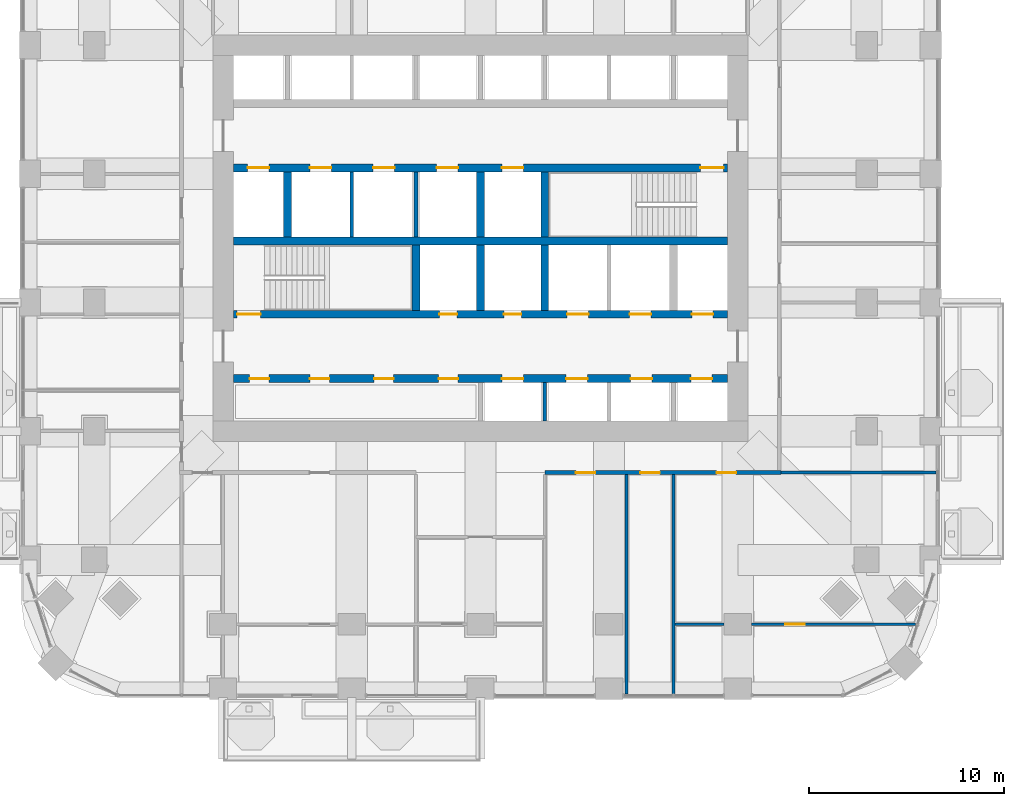
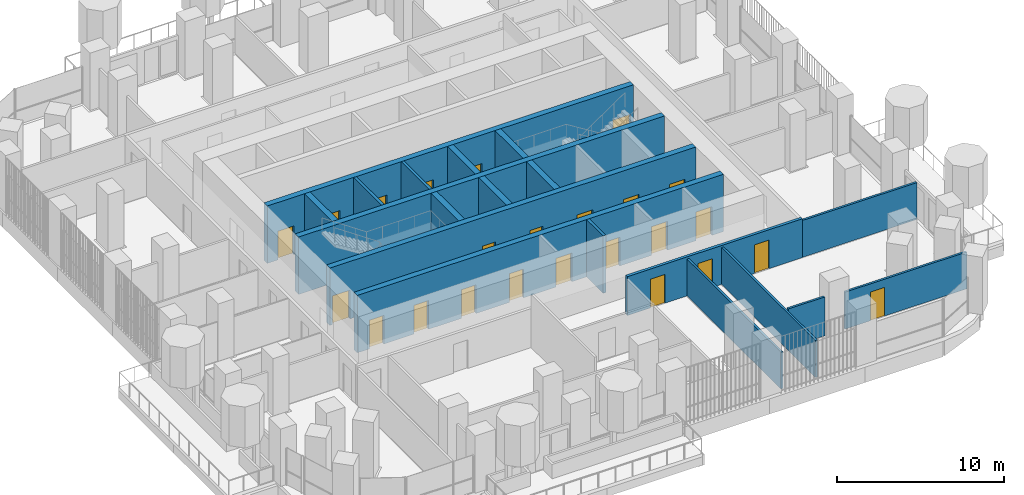
# One storey, part 14 of 21: 24 doors, 19 walls, 24 openings.
"""IFC4 building model written with IfcOpenShell, lengths in metres."""

import ifcopenshell
import ifcopenshell.guid

model = None  # the IFC model being written
_history = None  # IfcOwnerHistory: only IFC2X3 demands one
_inside = {}  # id of a spatial element -> (the spatial element, [elements in it])
_under = {}  # id of a project, library or spatial element -> (it, [spatial elements below it])
_declared = {}  # id of a project -> (the project, [libraries it declares])
_typed = {}  # id of a type object -> (the type object, [elements of that type])
_made_of = {}  # id of a material, layer set ... -> (it, [elements and type objects made of it])


def new_model(schema):
    """Start an empty IFC model of exactly this schema.

    Asked for "IFC4X3", IfcOpenShell would pick the latest addendum, in which some entities
    have other attributes; the version numbers below select the first issue.
    IFC2X3 requires an IfcOwnerHistory on every rooted entity: one is made here for all.
    """
    global model, _history
    if schema == "IFC4X3":
        model = ifcopenshell.file(schema_version=(4, 3, 0, 0))
    else:
        model = ifcopenshell.file(schema=schema)
    _inside.clear()
    _under.clear()
    _declared.clear()
    _typed.clear()
    _made_of.clear()
    _history = None
    if model.schema == "IFC2X3":
        org = make("IfcOrganization", Name="unknown")
        user = make(
            "IfcPersonAndOrganization",
            ThePerson=make("IfcPerson", FamilyName="unknown"),
            TheOrganization=org,
        )
        app = make(
            "IfcApplication",
            ApplicationDeveloper=org,
            Version="unknown",
            ApplicationFullName="unknown",
            ApplicationIdentifier="unknown",
        )
        _history = make(
            "IfcOwnerHistory",
            OwningUser=user,
            OwningApplication=app,
            ChangeAction="ADDED",
            CreationDate=0,
        )
    return model


def make(cls, **values):
    """One entity of the class cls with the attributes given. An attribute that is None is left unset."""
    return model.create_entity(
        cls, **{name: value for name, value in values.items() if value is not None}
    )


def rooted(cls, **values):
    """An entity with a GlobalId (a new one), such as an element, a storey or a relation."""
    return make(cls, GlobalId=ifcopenshell.guid.new(), OwnerHistory=_history, **values)


def si_unit(unit_type, name, prefix=None):
    """IfcSIUnit, for example si_unit("LENGTHUNIT", "METRE", prefix="MILLI")."""
    return make("IfcSIUnit", UnitType=unit_type, Prefix=prefix, Name=name)


def assignment(units):
    """IfcUnitAssignment: the units of a project."""
    return None if units is None else make("IfcUnitAssignment", Units=units)


def point(xyz):
    """IfcCartesianPoint."""
    return None if xyz is None else make("IfcCartesianPoint", Coordinates=xyz)


def direction(xyz):
    """IfcDirection."""
    return None if xyz is None else make("IfcDirection", DirectionRatios=xyz)


def frame(location, z_axis=None, x_axis=None):
    """IfcAxis2Placement3D, a coordinate frame: its origin and axes. An axis left out is left unset."""
    return make(
        "IfcAxis2Placement3D",
        Location=point(location),
        Axis=direction(z_axis),
        RefDirection=direction(x_axis),
    )


def frame_2d(location, x_axis=None):
    """IfcAxis2Placement2D, a coordinate frame in the plane: its origin and x axis."""
    return make(
        "IfcAxis2Placement2D", Location=point(location), RefDirection=direction(x_axis)
    )


def origin():
    """The frame at (0, 0, 0) with its axes left unset."""
    return frame((0.0, 0.0, 0.0))


def place(relative_to, where):
    """IfcLocalPlacement: puts the frame where relative to a parent placement (None: the world)."""
    return make(
        "IfcLocalPlacement", PlacementRelTo=relative_to, RelativePlacement=where
    )


def context(
    kind, dimensions, precision=None, world=None, true_north=None, identifier=None
):
    """IfcGeometricRepresentationContext, for example the 3D "Model" context."""
    return make(
        "IfcGeometricRepresentationContext",
        ContextIdentifier=identifier,
        ContextType=kind,
        CoordinateSpaceDimension=dimensions,
        Precision=precision,
        WorldCoordinateSystem=world,
        TrueNorth=true_north,
    )


def subcontext(parent, identifier, kind, view, scale=None):
    """IfcGeometricRepresentationSubContext, for example "Body" below "Model"."""
    return make(
        "IfcGeometricRepresentationSubContext",
        ContextIdentifier=identifier,
        ContextType=kind,
        ParentContext=parent,
        TargetScale=scale,
        TargetView=view,
    )


def project(units=None, contexts=None):
    """IfcProject with its units and contexts."""
    return rooted(
        "IfcProject",
        Name="project",
        RepresentationContexts=contexts,
        UnitsInContext=assignment(units),
    )


def spatial(cls, under=None, at=None, **own):
    """A site, building, storey or space (cls), placed at a placement, below another one or the project."""
    s = rooted(cls, ObjectPlacement=at, **own)
    if under is not None:
        _under.setdefault(under.id(), (under, []))[1].append(s)
    return s


def profile(cls, at=None, kind="AREA", **sizes):
    """A parametric profile (cls). Its sizes go by their IFC names, for example OverallWidth=200.0."""
    return make(cls, ProfileType=kind, Position=at, **sizes)


def rectangle(**sizes):
    """IfcRectangleProfileDef."""
    return profile("IfcRectangleProfileDef", **sizes)


def extrude(swept, where, along, depth):
    """IfcExtrudedAreaSolid: the profile swept, set in the frame where, extruded along a direction by depth."""
    return make(
        "IfcExtrudedAreaSolid",
        SweptArea=swept,
        Position=where,
        ExtrudedDirection=direction(along),
        Depth=depth,
    )


def shape(context_of_items, identifier, shape_type, items):
    """IfcShapeRepresentation: the items that make up one representation, for example the "Body"."""
    return make(
        "IfcShapeRepresentation",
        ContextOfItems=context_of_items,
        RepresentationIdentifier=identifier,
        RepresentationType=shape_type,
        Items=items,
    )


def material(Name=None, Category=None):
    """IfcMaterial."""
    return make("IfcMaterial", Name=Name, Category=Category)


def layer(
    of_material, thickness, ventilated=None, Name=None, Category=None, Priority=None
):
    """IfcMaterialLayer: one layer of a wall or slab, of a material (None: an air gap)."""
    return make(
        "IfcMaterialLayer",
        Material=of_material,
        LayerThickness=thickness,
        IsVentilated=ventilated,
        Name=Name,
        Category=Category,
        Priority=Priority,
    )


def layer_set(layers, Name=None):
    """IfcMaterialLayerSet."""
    return make("IfcMaterialLayerSet", MaterialLayers=layers, LayerSetName=Name)


def made_of(thing, what):
    """Note that an element or type object is made of a material, layer set ...; save() writes the relation."""
    if what is not None:
        _made_of.setdefault(what.id(), (what, []))[1].append(thing)
    return thing


def type_object(cls, material=None, **own):
    """A type object (cls), such as IfcWallType, which elements share."""
    return made_of(rooted(cls, **own), material)


def element(
    cls,
    number,
    at=None,
    inside=None,
    cuts=None,
    type_object=None,
    material=None,
    context=None,
    identifier="Body",
    shape_type=None,
    held_by="IfcProductDefinitionShape",
    body=None,
    shapes=None,
    **own,
):
    """One element of the class cls, such as IfcWall. Its Tag is "e" and its number.

    at: its placement. inside: the storey or other place that contains it. cuts: it is an
    opening in that element (IfcRelVoidsElement). A single representation is given by context,
    identifier, shape_type and body (its items); several are given by shapes. held_by: the class
    of the entity that holds the representations. save() writes the other relations.
    """
    e = rooted(cls, Tag="e%d" % number, ObjectPlacement=at, **own)
    if body is not None:
        shapes = [shape(context, identifier, shape_type, body)]
    if shapes is not None:
        e.Representation = make(held_by, Representations=shapes)
    if inside is not None:
        _inside.setdefault(inside.id(), (inside, []))[1].append(e)
    if cuts is not None:
        rooted(
            "IfcRelVoidsElement", RelatingBuildingElement=cuts, RelatedOpeningElement=e
        )
    if type_object is not None:
        _typed.setdefault(type_object.id(), (type_object, []))[1].append(e)
    return made_of(e, material)


def fill(opening, filler):
    """IfcRelFillsElement: the door or window that sits in an opening."""
    return rooted(
        "IfcRelFillsElement",
        RelatingOpeningElement=opening,
        RelatedBuildingElement=filler,
    )


def aggregate(whole, parts):
    """IfcRelAggregates: a whole, such as a stair, and the parts it consists of."""
    return rooted("IfcRelAggregates", RelatingObject=whole, RelatedObjects=parts)


def save(model, path):
    """Write the relations noted so far, then the file.

    IfcRelAggregates (storeys below a building ...), IfcRelContainedInSpatialStructure (elements
    in a storey), IfcRelDefinesByType, IfcRelAssociatesMaterial and IfcRelDeclares: one each for
    every whole, place, type object, material and project.
    """
    for whole, parts in _under.values():
        aggregate(whole, parts)
    for where, things in _inside.values():
        rooted(
            "IfcRelContainedInSpatialStructure",
            RelatedElements=things,
            RelatingStructure=where,
        )
    for kind, things in _typed.values():
        rooted("IfcRelDefinesByType", RelatedObjects=things, RelatingType=kind)
    for what, things in _made_of.values():
        rooted("IfcRelAssociatesMaterial", RelatedObjects=things, RelatingMaterial=what)
    for by, libraries in _declared.values():
        rooted("IfcRelDeclares", RelatingContext=by, RelatedDefinitions=libraries)
    model.write(path)


model = new_model("IFC4")

# Units and contexts
model_context = context("Model", 3, precision=1e-05, world=origin(), true_north=direction((0.0, 1.0)))
body_context = subcontext(model_context, "Body", "Model", "MODEL_VIEW")
ifc_project = project(units=[si_unit("LENGTHUNIT", "METRE"), si_unit("AREAUNIT", "SQUARE_METRE"), si_unit("VOLUMEUNIT", "CUBIC_METRE"), si_unit("PLANEANGLEUNIT", "RADIAN"), si_unit("MASSUNIT", "GRAM", prefix="KILO")], contexts=[model_context])

# Site, building, storey
site_placement = place(None, origin())
site = spatial("IfcSite", under=ifc_project, at=site_placement, CompositionType="ELEMENT")
building_placement = place(site_placement, origin())
building = spatial("IfcBuilding", under=site, at=building_placement, Name="Cobogo Forest Laboratory Tower", CompositionType="ELEMENT")
storey_placement = place(building_placement, frame((0.0, 0.0, 132.60009765625)))
storey = spatial("IfcBuildingStorey", under=building, at=storey_placement, Name="L30", CompositionType="ELEMENT", Elevation=132.60009765625)

# Wall, openings, doors
ifc_material_1 = material(Name="Concrete HA-50 (C50/60)", Category="concrete")
ifc_layer_1 = layer(ifc_material_1, 0.39990234375)
ifc_layer_set_1 = layer_set([ifc_layer_1], Name="CI400 core inner wall 400")
wall_type_1 = type_object("IfcWallType", Name="CI400 core inner wall 400", PredefinedType="SHEAR", material=ifc_layer_set_1)
wall_1_placement = place(storey_placement, frame((13.72509765625, 15.89990234375, 0.0), z_axis=(0.0, 0.0, 1.0), x_axis=(1.0, 0.0, 0.0)))
wall_1 = element("IfcWall", 1, at=wall_1_placement, inside=storey, type_object=wall_type_1, Name="Core wall CI-15.9 L30", PredefinedType="SHEAR", context=body_context, shape_type="SweptSolid", body=[
    extrude(rectangle(XDim=25.349853515625, YDim=0.39990234375, at=frame_2d((12.6748046875, 0.0))), origin(), (0.0, 0.0, 1.0), 4.199951171875),
])
opening_1_placement = place(wall_1_placement, frame((0.83740234375, 0.0, 0.0)))
opening_1 = element("IfcOpeningElement", 2, at=opening_1_placement, cuts=wall_1, Name="Opening L30-D16", PredefinedType="OPENING", context=body_context, shape_type="SweptSolid", body=[
    extrude(rectangle(XDim=1.0, YDim=2.10009765625, at=frame_2d((0.5, 1.050048828125))), frame((0.0, 0.2099609375, 0.0), z_axis=(0.0, -1.0, 0.0), x_axis=(1.0, 0.0, 0.0)), (0.0, 0.0, 1.0), 0.419921875),
])
opening_2_placement = place(wall_1_placement, frame((3.925048828125, 0.0, 0.0)))
opening_2 = element("IfcOpeningElement", 3, at=opening_2_placement, cuts=wall_1, Name="Opening L30-D17", PredefinedType="OPENING", context=body_context, shape_type="SweptSolid", body=[
    extrude(rectangle(XDim=1.0, YDim=2.10009765625, at=frame_2d((0.5, 1.050048828125))), frame((0.0, 0.2099609375, 0.0), z_axis=(0.0, -1.0, 0.0), x_axis=(1.0, 0.0, 0.0)), (0.0, 0.0, 1.0), 0.419921875),
])
opening_3_placement = place(wall_1_placement, frame((7.22509765625, 0.0, 0.0)))
opening_3 = element("IfcOpeningElement", 4, at=opening_3_placement, cuts=wall_1, Name="Opening L30-D18", PredefinedType="OPENING", context=body_context, shape_type="SweptSolid", body=[
    extrude(rectangle(XDim=1.0, YDim=2.10009765625, at=frame_2d((0.5, 1.050048828125))), frame((0.0, 0.2099609375, 0.0), z_axis=(0.0, -1.0, 0.0), x_axis=(1.0, 0.0, 0.0)), (0.0, 0.0, 1.0), 0.419921875),
])
opening_4_placement = place(wall_1_placement, frame((10.52490234375, 0.0, 0.0)))
opening_4 = element("IfcOpeningElement", 5, at=opening_4_placement, cuts=wall_1, Name="Opening L30-D19", PredefinedType="OPENING", context=body_context, shape_type="SweptSolid", body=[
    extrude(rectangle(XDim=1.0, YDim=2.10009765625, at=frame_2d((0.5, 1.050048828125))), frame((0.0, 0.2099609375, 0.0), z_axis=(0.0, -1.0, 0.0), x_axis=(1.0, 0.0, 0.0)), (0.0, 0.0, 1.0), 0.419921875),
])
opening_5_placement = place(wall_1_placement, frame((13.77490234375, 0.0, 0.0)))
opening_5 = element("IfcOpeningElement", 6, at=opening_5_placement, cuts=wall_1, Name="Opening L30-LD-LB1", PredefinedType="OPENING", context=body_context, shape_type="SweptSolid", body=[
    extrude(rectangle(XDim=1.10009765625, YDim=2.10009765625, at=frame_2d((0.550048828125, 1.050048828125))), frame((0.0, 0.2099609375, 0.0), z_axis=(0.0, -1.0, 0.0), x_axis=(1.0, 0.0, 0.0)), (0.0, 0.0, 1.0), 0.419921875),
])
opening_6_placement = place(wall_1_placement, frame((17.074951171875, 0.0, 0.0)))
opening_6 = element("IfcOpeningElement", 7, at=opening_6_placement, cuts=wall_1, Name="Opening L30-LD-LB2", PredefinedType="OPENING", context=body_context, shape_type="SweptSolid", body=[
    extrude(rectangle(XDim=1.10009765625, YDim=2.10009765625, at=frame_2d((0.550048828125, 1.050048828125))), frame((0.0, 0.2099609375, 0.0), z_axis=(0.0, -1.0, 0.0), x_axis=(1.0, 0.0, 0.0)), (0.0, 0.0, 1.0), 0.419921875),
])
opening_7_placement = place(wall_1_placement, frame((20.375, 0.0, 0.0)))
opening_7 = element("IfcOpeningElement", 8, at=opening_7_placement, cuts=wall_1, Name="Opening L30-LD-LB3", PredefinedType="OPENING", context=body_context, shape_type="SweptSolid", body=[
    extrude(rectangle(XDim=1.10009765625, YDim=2.10009765625, at=frame_2d((0.550048828125, 1.050048828125))), frame((0.0, 0.2099609375, 0.0), z_axis=(0.0, -1.0, 0.0), x_axis=(1.0, 0.0, 0.0)), (0.0, 0.0, 1.0), 0.419921875),
])
opening_8_placement = place(wall_1_placement, frame((23.46240234375, 0.0, 0.0)))
opening_8 = element("IfcOpeningElement", 9, at=opening_8_placement, cuts=wall_1, Name="Opening L30-LD-LB4", PredefinedType="OPENING", context=body_context, shape_type="SweptSolid", body=[
    extrude(rectangle(XDim=1.10009765625, YDim=2.10009765625, at=frame_2d((0.550048828125, 1.050048828125))), frame((0.0, 0.2099609375, 0.0), z_axis=(0.0, -1.0, 0.0), x_axis=(1.0, 0.0, 0.0)), (0.0, 0.0, 1.0), 0.419921875),
])
ifc_material_2 = material(Name="Steel fire door", Category="steel")
door_type_1 = type_object("IfcDoorType", Name="FD1 fire door 1000 EI2 60", OperationType="SINGLE_SWING_LEFT", PredefinedType="DOOR", material=ifc_material_2)
door_1_placement = place(opening_1_placement, origin())
door_1 = element("IfcDoor", 10, at=door_1_placement, inside=storey, type_object=door_type_1, Name="Door L30-SH-LA1", OperationType="SINGLE_SWING_LEFT", OverallHeight=2.10009765625, OverallWidth=1.0, PredefinedType="DOOR", context=body_context, shape_type="SweptSolid", body=[
    extrude(rectangle(XDim=1.0, YDim=2.10009765625, at=frame_2d((0.5, 1.050048828125))), frame((0.0, 0.02490234375, 0.0), z_axis=(0.0, -1.0, 0.0), x_axis=(1.0, 0.0, 0.0)), (0.0, 0.0, 1.0), 0.050048828125),
])
fill(opening_1, door_1)
door_2_placement = place(opening_2_placement, origin())
door_2 = element("IfcDoor", 11, at=door_2_placement, inside=storey, type_object=door_type_1, Name="Door L30-SH-LA2", OperationType="SINGLE_SWING_LEFT", OverallHeight=2.10009765625, OverallWidth=1.0, PredefinedType="DOOR", context=body_context, shape_type="SweptSolid", body=[
    extrude(rectangle(XDim=1.0, YDim=2.10009765625, at=frame_2d((0.5, 1.050048828125))), frame((0.0, 0.02490234375, 0.0), z_axis=(0.0, -1.0, 0.0), x_axis=(1.0, 0.0, 0.0)), (0.0, 0.0, 1.0), 0.050048828125),
])
fill(opening_2, door_2)
door_3_placement = place(opening_3_placement, origin())
door_3 = element("IfcDoor", 12, at=door_3_placement, inside=storey, type_object=door_type_1, Name="Door L30-SH-LA3", OperationType="SINGLE_SWING_LEFT", OverallHeight=2.10009765625, OverallWidth=1.0, PredefinedType="DOOR", context=body_context, shape_type="SweptSolid", body=[
    extrude(rectangle(XDim=1.0, YDim=2.10009765625, at=frame_2d((0.5, 1.050048828125))), frame((0.0, 0.02490234375, 0.0), z_axis=(0.0, -1.0, 0.0), x_axis=(1.0, 0.0, 0.0)), (0.0, 0.0, 1.0), 0.050048828125),
])
fill(opening_3, door_3)
door_4_placement = place(opening_4_placement, origin())
door_4 = element("IfcDoor", 13, at=door_4_placement, inside=storey, type_object=door_type_1, Name="Door L30-SH-LA4", OperationType="SINGLE_SWING_LEFT", OverallHeight=2.10009765625, OverallWidth=1.0, PredefinedType="DOOR", context=body_context, shape_type="SweptSolid", body=[
    extrude(rectangle(XDim=1.0, YDim=2.10009765625, at=frame_2d((0.5, 1.050048828125))), frame((0.0, 0.02490234375, 0.0), z_axis=(0.0, -1.0, 0.0), x_axis=(1.0, 0.0, 0.0)), (0.0, 0.0, 1.0), 0.050048828125),
])
fill(opening_4, door_4)
ifc_material_3 = material(Name="Stainless steel lift door", Category="steel")
door_type_2 = type_object("IfcDoorType", Name="LD lift landing door 1100", OperationType="DOUBLE_DOOR_SLIDING", PredefinedType="DOOR", material=ifc_material_3)
door_5_placement = place(opening_5_placement, origin())
door_5 = element("IfcDoor", 14, at=door_5_placement, inside=storey, type_object=door_type_2, Name="Lift landing door LB1 L30", OperationType="DOUBLE_DOOR_SLIDING", OverallHeight=2.10009765625, OverallWidth=1.10009765625, PredefinedType="DOOR", context=body_context, shape_type="SweptSolid", body=[
    extrude(rectangle(XDim=1.10009765625, YDim=2.10009765625, at=frame_2d((0.550048828125, 1.050048828125))), frame((0.0, 0.02490234375, 0.0), z_axis=(0.0, -1.0, 0.0), x_axis=(1.0, 0.0, 0.0)), (0.0, 0.0, 1.0), 0.050048828125),
])
fill(opening_5, door_5)
door_6_placement = place(opening_6_placement, origin())
door_6 = element("IfcDoor", 15, at=door_6_placement, inside=storey, type_object=door_type_2, Name="Lift landing door LB2 L30", OperationType="DOUBLE_DOOR_SLIDING", OverallHeight=2.10009765625, OverallWidth=1.10009765625, PredefinedType="DOOR", context=body_context, shape_type="SweptSolid", body=[
    extrude(rectangle(XDim=1.10009765625, YDim=2.10009765625, at=frame_2d((0.550048828125, 1.050048828125))), frame((0.0, 0.02490234375, 0.0), z_axis=(0.0, -1.0, 0.0), x_axis=(1.0, 0.0, 0.0)), (0.0, 0.0, 1.0), 0.050048828125),
])
fill(opening_6, door_6)
door_7_placement = place(opening_7_placement, origin())
door_7 = element("IfcDoor", 16, at=door_7_placement, inside=storey, type_object=door_type_2, Name="Lift landing door LB3 L30", OperationType="DOUBLE_DOOR_SLIDING", OverallHeight=2.10009765625, OverallWidth=1.10009765625, PredefinedType="DOOR", context=body_context, shape_type="SweptSolid", body=[
    extrude(rectangle(XDim=1.10009765625, YDim=2.10009765625, at=frame_2d((0.550048828125, 1.050048828125))), frame((0.0, 0.02490234375, 0.0), z_axis=(0.0, -1.0, 0.0), x_axis=(1.0, 0.0, 0.0)), (0.0, 0.0, 1.0), 0.050048828125),
])
fill(opening_7, door_7)
door_8_placement = place(opening_8_placement, origin())
door_8 = element("IfcDoor", 17, at=door_8_placement, inside=storey, type_object=door_type_2, Name="Lift landing door LB4 L30", OperationType="DOUBLE_DOOR_SLIDING", OverallHeight=2.10009765625, OverallWidth=1.10009765625, PredefinedType="DOOR", context=body_context, shape_type="SweptSolid", body=[
    extrude(rectangle(XDim=1.10009765625, YDim=2.10009765625, at=frame_2d((0.550048828125, 1.050048828125))), frame((0.0, 0.02490234375, 0.0), z_axis=(0.0, -1.0, 0.0), x_axis=(1.0, 0.0, 0.0)), (0.0, 0.0, 1.0), 0.050048828125),
])
fill(opening_8, door_8)

wall_2_placement = place(storey_placement, frame((13.72509765625, 19.199951171875, 0.0), z_axis=(0.0, 0.0, 1.0), x_axis=(1.0, 0.0, 0.0)))
wall_2 = element("IfcWall", 18, at=wall_2_placement, inside=storey, type_object=wall_type_1, Name="Core wall CI-19.2 L30", PredefinedType="SHEAR", context=body_context, shape_type="SweptSolid", body=[
    extrude(rectangle(XDim=25.349853515625, YDim=0.39990234375, at=frame_2d((12.6748046875, 0.0))), origin(), (0.0, 0.0, 1.0), 4.199951171875),
])
opening_9_placement = place(wall_2_placement, frame((10.574951171875, 0.0, 0.0)))
opening_9 = element("IfcOpeningElement", 19, at=opening_9_placement, cuts=wall_2, Name="Opening L30-D24", PredefinedType="OPENING", context=body_context, shape_type="SweptSolid", body=[
    extrude(rectangle(XDim=0.89990234375, YDim=2.10009765625, at=frame_2d((0.449951171875, 1.050048828125))), frame((0.0, 0.2099609375, 0.0), z_axis=(0.0, -1.0, 0.0), x_axis=(1.0, 0.0, 0.0)), (0.0, 0.0, 1.0), 0.419921875),
])
opening_10_placement = place(wall_2_placement, frame((13.875, 0.0, 0.0)))
opening_10 = element("IfcOpeningElement", 20, at=opening_10_placement, cuts=wall_2, Name="Opening L30-D25", PredefinedType="OPENING", context=body_context, shape_type="SweptSolid", body=[
    extrude(rectangle(XDim=0.89990234375, YDim=2.10009765625, at=frame_2d((0.449951171875, 1.050048828125))), frame((0.0, 0.2099609375, 0.0), z_axis=(0.0, -1.0, 0.0), x_axis=(1.0, 0.0, 0.0)), (0.0, 0.0, 1.0), 0.419921875),
])
opening_11_placement = place(wall_2_placement, frame((0.199951171875, 0.0, 0.0)))
opening_11 = element("IfcOpeningElement", 21, at=opening_11_placement, cuts=wall_2, Name="Opening L30-D23", PredefinedType="OPENING", context=body_context, shape_type="SweptSolid", body=[
    extrude(rectangle(XDim=1.199951171875, YDim=2.10009765625, at=frame_2d((0.60009765625, 1.050048828125))), frame((0.0, 0.2099609375, 0.0), z_axis=(0.0, -1.0, 0.0), x_axis=(1.0, 0.0, 0.0)), (0.0, 0.0, 1.0), 0.419921875),
])
opening_12_placement = place(wall_2_placement, frame((23.512451171875, 0.0, 0.0)))
opening_12 = element("IfcOpeningElement", 22, at=opening_12_placement, cuts=wall_2, Name="Opening L30-LD-FL2", PredefinedType="OPENING", context=body_context, shape_type="SweptSolid", body=[
    extrude(rectangle(XDim=1.10009765625, YDim=2.10009765625, at=frame_2d((0.550048828125, 1.050048828125))), frame((0.0, 0.2099609375, 0.0), z_axis=(0.0, -1.0, 0.0), x_axis=(1.0, 0.0, 0.0)), (0.0, 0.0, 1.0), 0.419921875),
])
opening_13_placement = place(wall_2_placement, frame((17.125, 0.0, 0.0)))
opening_13 = element("IfcOpeningElement", 23, at=opening_13_placement, cuts=wall_2, Name="Opening L30-LD-LS1", PredefinedType="OPENING", context=body_context, shape_type="SweptSolid", body=[
    extrude(rectangle(XDim=1.10009765625, YDim=2.10009765625, at=frame_2d((0.550048828125, 1.050048828125))), frame((0.0, 0.2099609375, 0.0), z_axis=(0.0, -1.0, 0.0), x_axis=(1.0, 0.0, 0.0)), (0.0, 0.0, 1.0), 0.419921875),
])
opening_14_placement = place(wall_2_placement, frame((20.324951171875, 0.0, 0.0)))
opening_14 = element("IfcOpeningElement", 24, at=opening_14_placement, cuts=wall_2, Name="Opening L30-LD-LS2", PredefinedType="OPENING", context=body_context, shape_type="SweptSolid", body=[
    extrude(rectangle(XDim=1.10009765625, YDim=2.10009765625, at=frame_2d((0.550048828125, 1.050048828125))), frame((0.0, 0.2099609375, 0.0), z_axis=(0.0, -1.0, 0.0), x_axis=(1.0, 0.0, 0.0)), (0.0, 0.0, 1.0), 0.419921875),
])
door_type_3 = type_object("IfcDoorType", Name="DS1 protected stair door 1200 EI2 60", OperationType="SINGLE_SWING_LEFT", PredefinedType="DOOR", material=ifc_material_2)
door_9_placement = place(opening_11_placement, origin())
door_9 = element("IfcDoor", 25, at=door_9_placement, inside=storey, type_object=door_type_3, Name="Door L30-ST1", OperationType="SINGLE_SWING_LEFT", OverallHeight=2.10009765625, OverallWidth=1.199951171875, PredefinedType="DOOR", context=body_context, shape_type="SweptSolid", body=[
    extrude(rectangle(XDim=1.199951171875, YDim=2.10009765625, at=frame_2d((0.60009765625, 1.050048828125))), frame((0.0, 0.02490234375, 0.0), z_axis=(0.0, -1.0, 0.0), x_axis=(1.0, 0.0, 0.0)), (0.0, 0.0, 1.0), 0.050048828125),
])
fill(opening_11, door_9)
door_type_4 = type_object("IfcDoorType", Name="FD4 riser access door 900 EI2 60", OperationType="SINGLE_SWING_LEFT", PredefinedType="DOOR", material=ifc_material_2)
door_10_placement = place(opening_9_placement, origin())
door_10 = element("IfcDoor", 26, at=door_10_placement, inside=storey, type_object=door_type_4, Name="Door L30-R1", OperationType="SINGLE_SWING_LEFT", OverallHeight=2.10009765625, OverallWidth=0.89990234375, PredefinedType="DOOR", context=body_context, shape_type="SweptSolid", body=[
    extrude(rectangle(XDim=0.89990234375, YDim=2.10009765625, at=frame_2d((0.449951171875, 1.050048828125))), frame((0.0, 0.02490234375, 0.0), z_axis=(0.0, -1.0, 0.0), x_axis=(1.0, 0.0, 0.0)), (0.0, 0.0, 1.0), 0.050048828125),
])
fill(opening_9, door_10)
door_11_placement = place(opening_10_placement, origin())
door_11 = element("IfcDoor", 27, at=door_11_placement, inside=storey, type_object=door_type_4, Name="Door L30-R2", OperationType="SINGLE_SWING_RIGHT", OverallHeight=2.10009765625, OverallWidth=0.89990234375, PredefinedType="DOOR", context=body_context, shape_type="SweptSolid", body=[
    extrude(rectangle(XDim=0.89990234375, YDim=2.10009765625, at=frame_2d((0.449951171875, 1.050048828125))), frame((0.0, 0.02490234375, 0.0), z_axis=(0.0, -1.0, 0.0), x_axis=(1.0, 0.0, 0.0)), (0.0, 0.0, 1.0), 0.050048828125),
])
fill(opening_10, door_11)
door_12_placement = place(opening_12_placement, origin())
door_12 = element("IfcDoor", 28, at=door_12_placement, inside=storey, type_object=door_type_2, Name="Lift landing door FL2 L30", OperationType="DOUBLE_DOOR_SLIDING", OverallHeight=2.10009765625, OverallWidth=1.10009765625, PredefinedType="DOOR", context=body_context, shape_type="SweptSolid", body=[
    extrude(rectangle(XDim=1.10009765625, YDim=2.10009765625, at=frame_2d((0.550048828125, 1.050048828125))), frame((0.0, 0.02490234375, 0.0), z_axis=(0.0, -1.0, 0.0), x_axis=(1.0, 0.0, 0.0)), (0.0, 0.0, 1.0), 0.050048828125),
])
fill(opening_12, door_12)
door_13_placement = place(opening_13_placement, origin())
door_13 = element("IfcDoor", 29, at=door_13_placement, inside=storey, type_object=door_type_2, Name="Lift landing door LS1 L30", OperationType="DOUBLE_DOOR_SLIDING", OverallHeight=2.10009765625, OverallWidth=1.10009765625, PredefinedType="DOOR", context=body_context, shape_type="SweptSolid", body=[
    extrude(rectangle(XDim=1.10009765625, YDim=2.10009765625, at=frame_2d((0.550048828125, 1.050048828125))), frame((0.0, 0.02490234375, 0.0), z_axis=(0.0, -1.0, 0.0), x_axis=(1.0, 0.0, 0.0)), (0.0, 0.0, 1.0), 0.050048828125),
])
fill(opening_13, door_13)
door_14_placement = place(opening_14_placement, origin())
door_14 = element("IfcDoor", 30, at=door_14_placement, inside=storey, type_object=door_type_2, Name="Lift landing door LS2 L30", OperationType="DOUBLE_DOOR_SLIDING", OverallHeight=2.10009765625, OverallWidth=1.10009765625, PredefinedType="DOOR", context=body_context, shape_type="SweptSolid", body=[
    extrude(rectangle(XDim=1.10009765625, YDim=2.10009765625, at=frame_2d((0.550048828125, 1.050048828125))), frame((0.0, 0.02490234375, 0.0), z_axis=(0.0, -1.0, 0.0), x_axis=(1.0, 0.0, 0.0)), (0.0, 0.0, 1.0), 0.050048828125),
])
fill(opening_14, door_14)

# Wall
wall_3_placement = place(storey_placement, frame((13.72509765625, 22.949951171875, 0.0), z_axis=(0.0, 0.0, 1.0), x_axis=(1.0, 0.0, 0.0)))
element("IfcWall", 31, at=wall_3_placement, inside=storey, type_object=wall_type_1, Name="Core wall CI-22.95 L30", PredefinedType="SHEAR", context=body_context, shape_type="SweptSolid", body=[
    extrude(rectangle(XDim=25.349853515625, YDim=0.39990234375, at=frame_2d((12.6748046875, 0.0))), origin(), (0.0, 0.0, 1.0), 4.199951171875),
])

# Wall, openings, doors
wall_4_placement = place(storey_placement, frame((13.72509765625, 26.699951171875, 0.0), z_axis=(0.0, 0.0, 1.0), x_axis=(1.0, 0.0, 0.0)))
wall_4 = element("IfcWall", 32, at=wall_4_placement, inside=storey, type_object=wall_type_1, Name="Core wall CI-26.7 L30", PredefinedType="SHEAR", context=body_context, shape_type="SweptSolid", body=[
    extrude(rectangle(XDim=25.349853515625, YDim=0.39990234375, at=frame_2d((12.6748046875, 0.0))), origin(), (0.0, 0.0, 1.0), 4.199951171875),
])
opening_15_placement = place(wall_4_placement, frame((23.949951171875, 0.0, 0.0)))
opening_15 = element("IfcOpeningElement", 33, at=opening_15_placement, cuts=wall_4, Name="Opening L30-D30", PredefinedType="OPENING", context=body_context, shape_type="SweptSolid", body=[
    extrude(rectangle(XDim=1.199951171875, YDim=2.10009765625, at=frame_2d((0.60009765625, 1.050048828125))), frame((0.0, 0.2099609375, 0.0), z_axis=(0.0, -1.0, 0.0), x_axis=(1.0, 0.0, 0.0)), (0.0, 0.0, 1.0), 0.419921875),
])
opening_16_placement = place(wall_4_placement, frame((0.737548828125, 0.0, 0.0)))
opening_16 = element("IfcOpeningElement", 34, at=opening_16_placement, cuts=wall_4, Name="Opening L30-LD-FL1", PredefinedType="OPENING", context=body_context, shape_type="SweptSolid", body=[
    extrude(rectangle(XDim=1.10009765625, YDim=2.10009765625, at=frame_2d((0.550048828125, 1.050048828125))), frame((0.0, 0.2099609375, 0.0), z_axis=(0.0, -1.0, 0.0), x_axis=(1.0, 0.0, 0.0)), (0.0, 0.0, 1.0), 0.419921875),
])
opening_17_placement = place(wall_4_placement, frame((3.925048828125, 0.0, 0.0)))
opening_17 = element("IfcOpeningElement", 35, at=opening_17_placement, cuts=wall_4, Name="Opening L30-LD-LS3", PredefinedType="OPENING", context=body_context, shape_type="SweptSolid", body=[
    extrude(rectangle(XDim=1.10009765625, YDim=2.10009765625, at=frame_2d((0.550048828125, 1.050048828125))), frame((0.0, 0.2099609375, 0.0), z_axis=(0.0, -1.0, 0.0), x_axis=(1.0, 0.0, 0.0)), (0.0, 0.0, 1.0), 0.419921875),
])
opening_18_placement = place(wall_4_placement, frame((7.175048828125, 0.0, 0.0)))
opening_18 = element("IfcOpeningElement", 36, at=opening_18_placement, cuts=wall_4, Name="Opening L30-LD-LS4", PredefinedType="OPENING", context=body_context, shape_type="SweptSolid", body=[
    extrude(rectangle(XDim=1.10009765625, YDim=2.10009765625, at=frame_2d((0.550048828125, 1.050048828125))), frame((0.0, 0.2099609375, 0.0), z_axis=(0.0, -1.0, 0.0), x_axis=(1.0, 0.0, 0.0)), (0.0, 0.0, 1.0), 0.419921875),
])
opening_19_placement = place(wall_4_placement, frame((10.425048828125, 0.0, 0.0)))
opening_19 = element("IfcOpeningElement", 37, at=opening_19_placement, cuts=wall_4, Name="Opening L30-LD-LS5", PredefinedType="OPENING", context=body_context, shape_type="SweptSolid", body=[
    extrude(rectangle(XDim=1.10009765625, YDim=2.10009765625, at=frame_2d((0.550048828125, 1.050048828125))), frame((0.0, 0.2099609375, 0.0), z_axis=(0.0, -1.0, 0.0), x_axis=(1.0, 0.0, 0.0)), (0.0, 0.0, 1.0), 0.419921875),
])
opening_20_placement = place(wall_4_placement, frame((13.77490234375, 0.0, 0.0)))
opening_20 = element("IfcOpeningElement", 38, at=opening_20_placement, cuts=wall_4, Name="Opening L30-LD-LS6", PredefinedType="OPENING", context=body_context, shape_type="SweptSolid", body=[
    extrude(rectangle(XDim=1.10009765625, YDim=2.10009765625, at=frame_2d((0.550048828125, 1.050048828125))), frame((0.0, 0.2099609375, 0.0), z_axis=(0.0, -1.0, 0.0), x_axis=(1.0, 0.0, 0.0)), (0.0, 0.0, 1.0), 0.419921875),
])
door_15_placement = place(opening_15_placement, origin())
door_15 = element("IfcDoor", 39, at=door_15_placement, inside=storey, type_object=door_type_3, Name="Door L30-ST2", OperationType="SINGLE_SWING_RIGHT", OverallHeight=2.10009765625, OverallWidth=1.199951171875, PredefinedType="DOOR", context=body_context, shape_type="SweptSolid", body=[
    extrude(rectangle(XDim=1.199951171875, YDim=2.10009765625, at=frame_2d((0.60009765625, 1.050048828125))), frame((0.0, 0.02490234375, 0.0), z_axis=(0.0, -1.0, 0.0), x_axis=(1.0, 0.0, 0.0)), (0.0, 0.0, 1.0), 0.050048828125),
])
fill(opening_15, door_15)
door_16_placement = place(opening_16_placement, origin())
door_16 = element("IfcDoor", 40, at=door_16_placement, inside=storey, type_object=door_type_2, Name="Lift landing door FL1 L30", OperationType="DOUBLE_DOOR_SLIDING", OverallHeight=2.10009765625, OverallWidth=1.10009765625, PredefinedType="DOOR", context=body_context, shape_type="SweptSolid", body=[
    extrude(rectangle(XDim=1.10009765625, YDim=2.10009765625, at=frame_2d((0.550048828125, 1.050048828125))), frame((0.0, 0.02490234375, 0.0), z_axis=(0.0, -1.0, 0.0), x_axis=(1.0, 0.0, 0.0)), (0.0, 0.0, 1.0), 0.050048828125),
])
fill(opening_16, door_16)
door_17_placement = place(opening_17_placement, origin())
door_17 = element("IfcDoor", 41, at=door_17_placement, inside=storey, type_object=door_type_2, Name="Lift landing door LS3 L30", OperationType="DOUBLE_DOOR_SLIDING", OverallHeight=2.10009765625, OverallWidth=1.10009765625, PredefinedType="DOOR", context=body_context, shape_type="SweptSolid", body=[
    extrude(rectangle(XDim=1.10009765625, YDim=2.10009765625, at=frame_2d((0.550048828125, 1.050048828125))), frame((0.0, 0.02490234375, 0.0), z_axis=(0.0, -1.0, 0.0), x_axis=(1.0, 0.0, 0.0)), (0.0, 0.0, 1.0), 0.050048828125),
])
fill(opening_17, door_17)
door_18_placement = place(opening_18_placement, origin())
door_18 = element("IfcDoor", 42, at=door_18_placement, inside=storey, type_object=door_type_2, Name="Lift landing door LS4 L30", OperationType="DOUBLE_DOOR_SLIDING", OverallHeight=2.10009765625, OverallWidth=1.10009765625, PredefinedType="DOOR", context=body_context, shape_type="SweptSolid", body=[
    extrude(rectangle(XDim=1.10009765625, YDim=2.10009765625, at=frame_2d((0.550048828125, 1.050048828125))), frame((0.0, 0.02490234375, 0.0), z_axis=(0.0, -1.0, 0.0), x_axis=(1.0, 0.0, 0.0)), (0.0, 0.0, 1.0), 0.050048828125),
])
fill(opening_18, door_18)
door_19_placement = place(opening_19_placement, origin())
door_19 = element("IfcDoor", 43, at=door_19_placement, inside=storey, type_object=door_type_2, Name="Lift landing door LS5 L30", OperationType="DOUBLE_DOOR_SLIDING", OverallHeight=2.10009765625, OverallWidth=1.10009765625, PredefinedType="DOOR", context=body_context, shape_type="SweptSolid", body=[
    extrude(rectangle(XDim=1.10009765625, YDim=2.10009765625, at=frame_2d((0.550048828125, 1.050048828125))), frame((0.0, 0.02490234375, 0.0), z_axis=(0.0, -1.0, 0.0), x_axis=(1.0, 0.0, 0.0)), (0.0, 0.0, 1.0), 0.050048828125),
])
fill(opening_19, door_19)
door_20_placement = place(opening_20_placement, origin())
door_20 = element("IfcDoor", 44, at=door_20_placement, inside=storey, type_object=door_type_2, Name="Lift landing door LS6 L30", OperationType="DOUBLE_DOOR_SLIDING", OverallHeight=2.10009765625, OverallWidth=1.10009765625, PredefinedType="DOOR", context=body_context, shape_type="SweptSolid", body=[
    extrude(rectangle(XDim=1.10009765625, YDim=2.10009765625, at=frame_2d((0.550048828125, 1.050048828125))), frame((0.0, 0.02490234375, 0.0), z_axis=(0.0, -1.0, 0.0), x_axis=(1.0, 0.0, 0.0)), (0.0, 0.0, 1.0), 0.050048828125),
])
fill(opening_20, door_20)

# Walls
for number, where, z_axis, x_axis, name in (
    (45, (23.10009765625, 19.39990234375, 0.0), (0.0, 0.0, 1.0), (0.0, 1.0, 0.0), "Core wall CX-23.1 L30"),
    (46, (26.39990234375, 19.39990234375, 0.0), (0.0, 0.0, 1.0), (0.0, 1.0, 0.0), "Core wall CX-26.4S L30"),
    (47, (29.699951171875, 19.39990234375, 0.0), (0.0, 0.0, 1.0), (0.0, 1.0, 0.0), "Core wall CX-29.7S L30"),
    (48, (16.5, 23.14990234375, 0.0), (0.0, 0.0, 1.0), (0.0, 1.0, 0.0), "Core wall CX-16.5 L30"),
    (49, (26.39990234375, 23.14990234375, 0.0), (0.0, 0.0, 1.0), (0.0, 1.0, 0.0), "Core wall CX-26.4N L30"),
    (50, (29.699951171875, 23.14990234375, 0.0), (0.0, 0.0, 1.0), (0.0, 1.0, 0.0), "Core wall CX-29.7N L30"),
):
    element("IfcWall", number, at=place(storey_placement, frame(where, z_axis=z_axis, x_axis=x_axis)), inside=storey, type_object=wall_type_1, Name=name, PredefinedType="SHEAR", context=body_context, shape_type="SweptSolid", body=[
        extrude(rectangle(XDim=3.35009765625, YDim=0.39990234375, at=frame_2d((1.675048828125, 0.0))), origin(), (0.0, 0.0, 1.0), 4.199951171875),
    ])
ifc_material_4 = material(Name="Gypsum board on steel studs", Category="steel")
ifc_layer_2 = layer(ifc_material_4, 0.14990234375)
ifc_layer_set_2 = layer_set([ifc_layer_2], Name="PT1 laboratory partition 150")
wall_type_2 = type_object("IfcWallType", Name="PT1 laboratory partition 150", PredefinedType="PARTITIONING", material=ifc_layer_set_2)
wall_5_placement = place(storey_placement, frame((49.77001953125, 11.074951171875, 0.0), z_axis=(0.0, 0.0, 1.0), x_axis=(-1.0, 0.0, 0.0)))
element("IfcWall", 51, at=wall_5_placement, inside=storey, type_object=wall_type_2, Name="Partition PW-SE L30", PredefinedType="PARTITIONING", context=body_context, shape_type="SweptSolid", body=[
    extrude(rectangle(XDim=7.945068359375, YDim=0.14990234375, at=frame_2d((3.97265625, 0.0))), origin(), (0.0, 0.0, 1.0), 2.699951171875),
])
wall_6_placement = place(storey_placement, frame((36.375, 3.300048828125, 0.0), z_axis=(0.0, 0.0, 1.0), x_axis=(1.0, 0.0, 0.0)))
element("IfcWall", 52, at=wall_6_placement, inside=storey, type_object=wall_type_2, Name="Partition STRIP-S-4 L30", PredefinedType="PARTITIONING", context=body_context, shape_type="SweptSolid", body=[
    extrude(rectangle(XDim=2.52490234375, YDim=0.14990234375, at=frame_2d((1.262451171875, 0.0))), origin(), (0.0, 0.0, 1.0), 2.849853515625),
])

# Wall, opening, door
wall_7_placement = place(storey_placement, frame((40.300048828125, 3.300048828125, 0.0), z_axis=(0.0, 0.0, 1.0), x_axis=(1.0, 0.0, 0.0)))
wall_7 = element("IfcWall", 53, at=wall_7_placement, inside=storey, type_object=wall_type_2, Name="Partition STRIP-S-5 L30", PredefinedType="PARTITIONING", context=body_context, shape_type="SweptSolid", body=[
    extrude(rectangle(XDim=8.423828125, YDim=0.14990234375, at=frame_2d((4.2119140625, 0.0))), origin(), (0.0, 0.0, 1.0), 2.699951171875),
])
opening_21_placement = place(wall_7_placement, frame((1.7421875, 0.0, 0.0)))
opening_21 = element("IfcOpeningElement", 54, at=opening_21_placement, cuts=wall_7, Name="Opening L30-D04", PredefinedType="OPENING", context=body_context, shape_type="SweptSolid", body=[
    extrude(rectangle(XDim=1.0, YDim=2.10009765625, at=frame_2d((0.5, 1.050048828125))), frame((0.0, 0.0849609375, 0.0), z_axis=(0.0, -1.0, 0.0), x_axis=(1.0, 0.0, 0.0)), (0.0, 0.0, 1.0), 0.169921875),
])
ifc_material_5 = material(Name="Timber fire door", Category="wood")
door_type_5 = type_object("IfcDoorType", Name="FD2 fire door 1000 EI2 30", OperationType="SINGLE_SWING_LEFT", PredefinedType="DOOR", material=ifc_material_5)
door_21_placement = place(opening_21_placement, origin())
door_21 = element("IfcDoor", 55, at=door_21_placement, inside=storey, type_object=door_type_5, Name="Door L30-S4W", OperationType="SINGLE_SWING_LEFT", OverallHeight=2.10009765625, OverallWidth=1.0, PredefinedType="DOOR", context=body_context, shape_type="SweptSolid", body=[
    extrude(rectangle(XDim=1.0, YDim=2.10009765625, at=frame_2d((0.5, 1.050048828125))), frame((0.0, 0.02490234375, 0.0), z_axis=(0.0, -1.0, 0.0), x_axis=(1.0, 0.0, 0.0)), (0.0, 0.0, 1.0), 0.050048828125),
])
fill(opening_21, door_21)

# Walls
for number, where, z_axis, x_axis, name in (
    (56, (33.89990234375, -0.27001953125, 0.0), (0.0, 0.0, 1.0), (0.0, 1.0, 0.0), "Partition SVC-S1-1 L30"),
    (57, (36.300048828125, -0.27001953125, 0.0), (0.0, 0.0, 1.0), (0.0, 1.0, 0.0), "Partition SVC-S2-1 L30"),
):
    element("IfcWall", number, at=place(storey_placement, frame(where, z_axis=z_axis, x_axis=x_axis)), inside=storey, type_object=wall_type_2, Name=name, PredefinedType="PARTITIONING", context=body_context, shape_type="SweptSolid", body=[
        extrude(rectangle(XDim=11.2451171875, YDim=0.14990234375, at=frame_2d((5.62255859375, 0.0))), origin(), (0.0, 0.0, 1.0), 2.699951171875),
    ])

# Wall, openings, doors
ifc_layer_3 = layer(ifc_material_4, 0.199951171875)
ifc_layer_set_3 = layer_set([ifc_layer_3], Name="PT2 fire-rated corridor partition 200")
wall_type_3 = type_object("IfcWallType", Name="PT2 fire-rated corridor partition 200", PredefinedType="PARTITIONING", material=ifc_layer_set_3)
wall_8_placement = place(storey_placement, frame((29.699951171875, 11.074951171875, 0.0), z_axis=(0.0, 0.0, 1.0), x_axis=(1.0, 0.0, 0.0)))
wall_8 = element("IfcWall", 58, at=wall_8_placement, inside=storey, type_object=wall_type_3, Name="Partition CORR-S-2 L30", PredefinedType="PARTITIONING", context=body_context, shape_type="SweptSolid", body=[
    extrude(rectangle(XDim=12.125, YDim=0.199951171875, at=frame_2d((6.0625, 0.0))), origin(), (0.0, 0.0, 1.0), 2.849853515625),
])
opening_22_placement = place(wall_8_placement, frame((1.60009765625, 0.0, 0.0)))
opening_22 = element("IfcOpeningElement", 59, at=opening_22_placement, cuts=wall_8, Name="Opening L30-D10", PredefinedType="OPENING", context=body_context, shape_type="SweptSolid", body=[
    extrude(rectangle(XDim=1.0, YDim=2.10009765625, at=frame_2d((0.5, 1.050048828125))), frame((0.0, 0.10986328125, 0.0), z_axis=(0.0, -1.0, 0.0), x_axis=(1.0, 0.0, 0.0)), (0.0, 0.0, 1.0), 0.219970703125),
])
opening_23_placement = place(wall_8_placement, frame((4.89990234375, 0.0, 0.0)))
opening_23 = element("IfcOpeningElement", 60, at=opening_23_placement, cuts=wall_8, Name="Opening L30-D11", PredefinedType="OPENING", context=body_context, shape_type="SweptSolid", body=[
    extrude(rectangle(XDim=1.0, YDim=2.10009765625, at=frame_2d((0.5, 1.050048828125))), frame((0.0, 0.10986328125, 0.0), z_axis=(0.0, -1.0, 0.0), x_axis=(1.0, 0.0, 0.0)), (0.0, 0.0, 1.0), 0.219970703125),
])
opening_24_placement = place(wall_8_placement, frame((8.8125, 0.0, 0.0)))
opening_24 = element("IfcOpeningElement", 61, at=opening_24_placement, cuts=wall_8, Name="Opening L30-D12", PredefinedType="OPENING", context=body_context, shape_type="SweptSolid", body=[
    extrude(rectangle(XDim=1.0, YDim=2.10009765625, at=frame_2d((0.5, 1.050048828125))), frame((0.0, 0.10986328125, 0.0), z_axis=(0.0, -1.0, 0.0), x_axis=(1.0, 0.0, 0.0)), (0.0, 0.0, 1.0), 0.219970703125),
])
door_22_placement = place(opening_22_placement, origin())
door_22 = element("IfcDoor", 62, at=door_22_placement, inside=storey, type_object=door_type_5, Name="Door L30-MTG", OperationType="SINGLE_SWING_LEFT", OverallHeight=2.10009765625, OverallWidth=1.0, PredefinedType="DOOR", context=body_context, shape_type="SweptSolid", body=[
    extrude(rectangle(XDim=1.0, YDim=2.10009765625, at=frame_2d((0.5, 1.050048828125))), frame((0.0, 0.02490234375, 0.0), z_axis=(0.0, -1.0, 0.0), x_axis=(1.0, 0.0, 0.0)), (0.0, 0.0, 1.0), 0.050048828125),
])
fill(opening_22, door_22)
door_23_placement = place(opening_23_placement, origin())
door_23 = element("IfcDoor", 63, at=door_23_placement, inside=storey, type_object=door_type_5, Name="Door L30-PAN", OperationType="SINGLE_SWING_LEFT", OverallHeight=2.10009765625, OverallWidth=1.0, PredefinedType="DOOR", context=body_context, shape_type="SweptSolid", body=[
    extrude(rectangle(XDim=1.0, YDim=2.10009765625, at=frame_2d((0.5, 1.050048828125))), frame((0.0, 0.02490234375, 0.0), z_axis=(0.0, -1.0, 0.0), x_axis=(1.0, 0.0, 0.0)), (0.0, 0.0, 1.0), 0.050048828125),
])
fill(opening_23, door_23)
door_24_placement = place(opening_24_placement, origin())
door_24 = element("IfcDoor", 64, at=door_24_placement, inside=storey, type_object=door_type_5, Name="Door L30-S4", OperationType="SINGLE_SWING_RIGHT", OverallHeight=2.10009765625, OverallWidth=1.0, PredefinedType="DOOR", context=body_context, shape_type="SweptSolid", body=[
    extrude(rectangle(XDim=1.0, YDim=2.10009765625, at=frame_2d((0.5, 1.050048828125))), frame((0.0, 0.02490234375, 0.0), z_axis=(0.0, -1.0, 0.0), x_axis=(1.0, 0.0, 0.0)), (0.0, 0.0, 1.0), 0.050048828125),
])
fill(opening_24, door_24)

# Walls
ifc_material_6 = material(Name="Concrete block", Category="concrete")
ifc_layer_4 = layer(ifc_material_6, 0.199951171875)
ifc_layer_set_4 = layer_set([ifc_layer_4], Name="SW200 lift shaft separator 200")
wall_type_4 = type_object("IfcWallType", Name="SW200 lift shaft separator 200", PredefinedType="PARTITIONING", material=ifc_layer_set_4)
wall_9_placement = place(storey_placement, frame((29.699951171875, 13.72509765625, 0.0), z_axis=(0.0, 0.0, 1.0), x_axis=(0.0, 1.0, 0.0)))
element("IfcWall", 65, at=wall_9_placement, inside=storey, type_object=wall_type_4, Name="Core wall SEP-S5 L30", PredefinedType="PARTITIONING", context=body_context, shape_type="SweptSolid", body=[
    extrude(rectangle(XDim=1.974853515625, YDim=0.199951171875, at=frame_2d((0.9873046875, 0.0))), origin(), (0.0, 0.0, 1.0), 4.199951171875),
])
for number, where, z_axis, x_axis, name in (
    (66, (19.800048828125, 23.14990234375, 0.0), (0.0, 0.0, 1.0), (0.0, 1.0, 0.0), "Core wall SEP-M19.8 L30"),
    (67, (23.10009765625, 23.14990234375, 0.0), (0.0, 0.0, 1.0), (0.0, 1.0, 0.0), "Core wall SEP-M23.1 L30"),
):
    element("IfcWall", number, at=place(storey_placement, frame(where, z_axis=z_axis, x_axis=x_axis)), inside=storey, type_object=wall_type_4, Name=name, PredefinedType="PARTITIONING", context=body_context, shape_type="SweptSolid", body=[
        extrude(rectangle(XDim=3.35009765625, YDim=0.199951171875, at=frame_2d((1.675048828125, 0.0))), origin(), (0.0, 0.0, 1.0), 4.199951171875),
    ])

save(model, "model.ifc")
